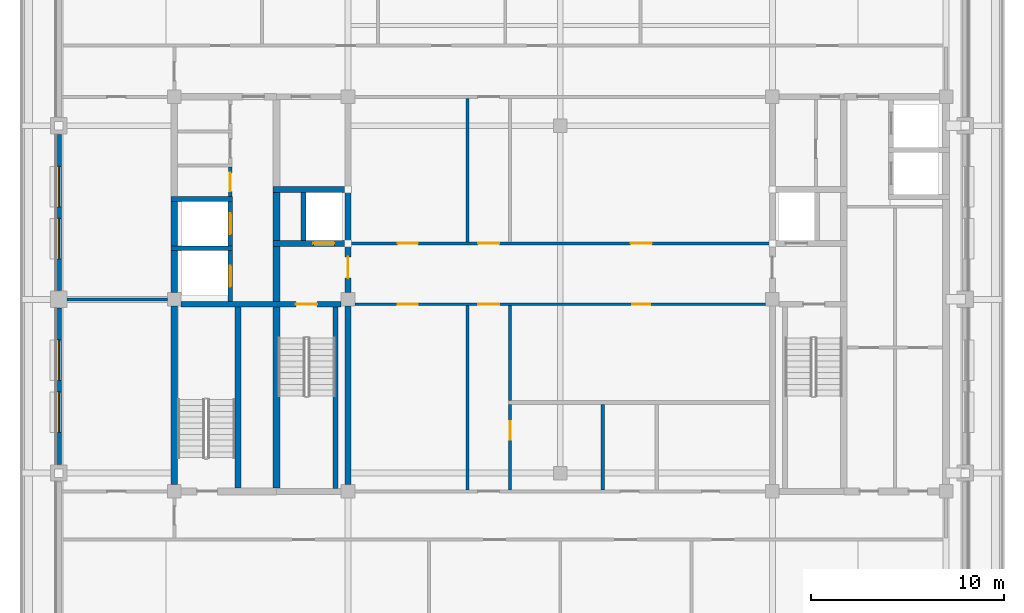
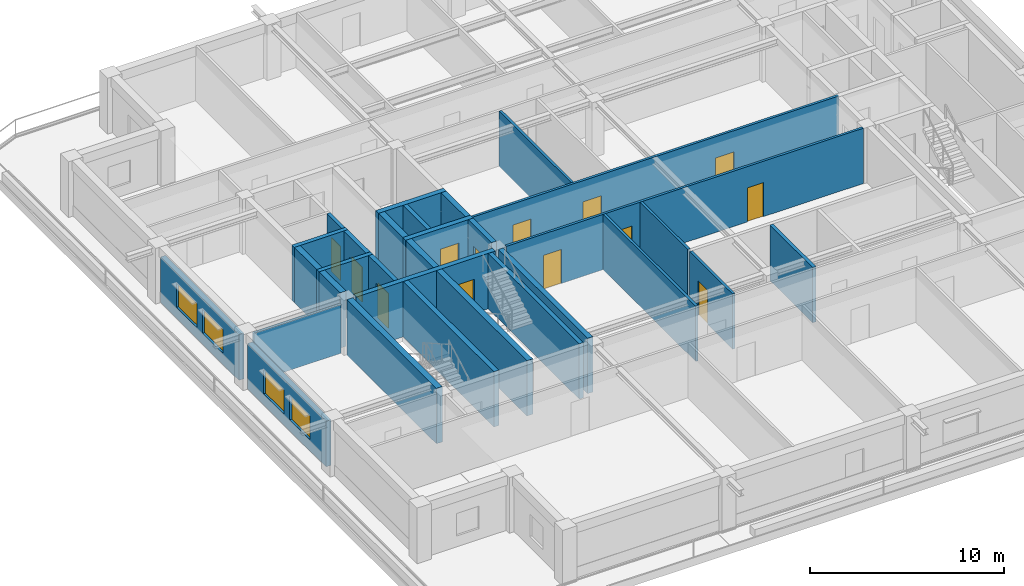
# One storey, part 3 of 11: 30 walls, 13 doors, 4 windows, 17 openings.
"""IFC4 building model written with IfcOpenShell, lengths in metres."""

from ifc_helpers import new_model, si_unit, direction, frame, frame_2d, origin, place, context, subcontext, project, spatial, rectangle, extrude, material, layer, layer_set, type_object, element, fill, save


model = new_model("IFC4")

# Units and contexts
model_context = context("Model", 3, precision=1e-05, world=origin(), true_north=direction((0.0, 1.0)))
body_context = subcontext(model_context, "Body", "Model", "MODEL_VIEW")
ifc_project = project(units=[si_unit("LENGTHUNIT", "METRE"), si_unit("AREAUNIT", "SQUARE_METRE"), si_unit("VOLUMEUNIT", "CUBIC_METRE"), si_unit("PLANEANGLEUNIT", "RADIAN"), si_unit("MASSUNIT", "GRAM", prefix="KILO")], contexts=[model_context])

# Site, building, storey
site_placement = place(None, origin())
site = spatial("IfcSite", under=ifc_project, at=site_placement, CompositionType="ELEMENT")
building_placement = place(site_placement, origin())
building = spatial("IfcBuilding", under=site, at=building_placement, Name="Zulmaris Gate Convention Tower", CompositionType="ELEMENT")
storey_placement = place(building_placement, frame((0.0, 0.0, 270.580078125)))
storey = spatial("IfcBuildingStorey", under=building, at=storey_placement, Name="L72", CompositionType="ELEMENT", Elevation=270.580078125)

# Walls
ifc_material_1 = material(Name="Concrete C50/60", Category="concrete")
ifc_layer_1 = layer(ifc_material_1, 0.25, Name="Concrete C50/60")
ifc_layer_set_1 = layer_set([ifc_layer_1], Name="Concrete C50/60")
wall_type_1 = type_object("IfcWallType", Name="CORE-250", PredefinedType="SOLIDWALL", material=ifc_layer_set_1)
for number, where, z_axis, x_axis, name in (
    (1, (-20.175048828125, 2.64990234375, 0.0), (0.0, 0.0, 1.0), (1.0, 0.0, 0.0), "WL-L72-007"),
    (2, (-20.175048828125, 5.199951171875, 0.0), (0.0, 0.0, 1.0), (1.0, 0.0, 0.0), "WL-L72-010"),
):
    element("IfcWall", number, at=place(storey_placement, frame(where, z_axis=z_axis, x_axis=x_axis)), inside=storey, type_object=wall_type_1, Name=name, PredefinedType="SOLIDWALL", context=body_context, shape_type="SweptSolid", body=[
        extrude(rectangle(XDim=3.199951171875, YDim=0.25, at=frame_2d((1.60009765625, 0.0))), origin(), (0.0, 0.0, 1.0), 3.489990234375),
    ])

# Wall, opening, door
wall_1_placement = place(storey_placement, frame((-17.10009765625, -0.097900390625, 0.0), z_axis=(0.0, 0.0, 1.0), x_axis=(0.0, 1.0, 0.0)))
wall_1 = element("IfcWall", 3, at=wall_1_placement, inside=storey, type_object=wall_type_1, Name="WL-L72-037", PredefinedType="SOLIDWALL", context=body_context, shape_type="SweptSolid", body=[
    extrude(rectangle(XDim=2.620849609375, YDim=0.25, at=frame_2d((1.310546875, 0.0))), origin(), (0.0, 0.0, 1.0), 3.489990234375),
])
opening_1_placement = place(wall_1_placement, frame((0.748046875, 0.0, 0.0)))
opening_1 = element("IfcOpeningElement", 4, at=opening_1_placement, cuts=wall_1, Name="Opening D-06", PredefinedType="OPENING", context=body_context, shape_type="SweptSolid", body=[
    extrude(rectangle(XDim=1.10009765625, YDim=2.199951171875, at=frame_2d((0.550048828125, 1.10009765625))), frame((0.0, 0.135009765625, 0.0), z_axis=(0.0, -1.0, 0.0), x_axis=(1.0, 0.0, 0.0)), (0.0, 0.0, 1.0), 0.27001953125),
])
ifc_material_2 = material(Name="Brushed Stainless Steel", Category="steel")
door_type_1 = type_object("IfcDoorType", Name="LD-1100", OperationType="NOTDEFINED", PredefinedType="DOOR", material=ifc_material_2)
door_1_placement = place(opening_1_placement, origin())
door_1 = element("IfcDoor", 5, at=door_1_placement, inside=storey, type_object=door_type_1, Name="L72 Lift Landing Door HP-03 11", OperationType="SLIDING_TO_LEFT", OverallHeight=2.199951171875, OverallWidth=1.10009765625, PredefinedType="DOOR", context=body_context, shape_type="SweptSolid", body=[
    extrude(rectangle(XDim=1.10009765625, YDim=2.199951171875, at=frame_2d((0.550048828125, 1.10009765625))), frame((0.0, 0.02490234375, 0.0), z_axis=(0.0, -1.0, 0.0), x_axis=(1.0, 0.0, 0.0)), (0.0, 0.0, 1.0), 0.050048828125),
])
fill(opening_1, door_1)

wall_2_placement = place(storey_placement, frame((-17.10009765625, 2.777099609375, 0.0), z_axis=(0.0, 0.0, 1.0), x_axis=(0.0, 1.0, 0.0)))
wall_2 = element("IfcWall", 6, at=wall_2_placement, inside=storey, type_object=wall_type_1, Name="WL-L72-038", PredefinedType="SOLIDWALL", context=body_context, shape_type="SweptSolid", body=[
    extrude(rectangle(XDim=2.2958984375, YDim=0.25, at=frame_2d((1.14794921875, 0.0))), origin(), (0.0, 0.0, 1.0), 3.489990234375),
])
opening_2_placement = place(wall_2_placement, frame((0.597900390625, 0.0, 0.0)))
opening_2 = element("IfcOpeningElement", 7, at=opening_2_placement, cuts=wall_2, Name="Opening D-06", PredefinedType="OPENING", context=body_context, shape_type="SweptSolid", body=[
    extrude(rectangle(XDim=1.10009765625, YDim=2.199951171875, at=frame_2d((0.550048828125, 1.10009765625))), frame((0.0, 0.135009765625, 0.0), z_axis=(0.0, -1.0, 0.0), x_axis=(1.0, 0.0, 0.0)), (0.0, 0.0, 1.0), 0.27001953125),
])
door_2_placement = place(opening_2_placement, origin())
door_2 = element("IfcDoor", 8, at=door_2_placement, inside=storey, type_object=door_type_1, Name="L72 Lift Landing Door HP-04 12", OperationType="SLIDING_TO_LEFT", OverallHeight=2.199951171875, OverallWidth=1.10009765625, PredefinedType="DOOR", context=body_context, shape_type="SweptSolid", body=[
    extrude(rectangle(XDim=1.10009765625, YDim=2.199951171875, at=frame_2d((0.550048828125, 1.10009765625))), frame((0.0, 0.02490234375, 0.0), z_axis=(0.0, -1.0, 0.0), x_axis=(1.0, 0.0, 0.0)), (0.0, 0.0, 1.0), 0.050048828125),
])
fill(opening_2, door_2)

# Walls
wall_3_placement = place(storey_placement, frame((-13.300048828125, 3.052001953125, 0.0), z_axis=(0.0, 0.0, 1.0), x_axis=(0.0, 1.0, 0.0)))
element("IfcWall", 9, at=wall_3_placement, inside=storey, type_object=wall_type_1, Name="WL-L72-044", PredefinedType="SOLIDWALL", context=body_context, shape_type="SweptSolid", body=[
    extrude(rectangle(XDim=2.49609375, YDim=0.25, at=frame_2d((1.248046875, 0.0))), origin(), (0.0, 0.0, 1.0), 3.489990234375),
])
wall_4_placement = place(storey_placement, frame((-11.64990234375, -9.798095703125, 0.0), z_axis=(0.0, 0.0, 1.0), x_axis=(0.0, 1.0, 0.0)))
element("IfcWall", 10, at=wall_4_placement, inside=storey, type_object=wall_type_1, Name="WL-L72-045", PredefinedType="SOLIDWALL", context=body_context, shape_type="SweptSolid", body=[
    extrude(rectangle(XDim=9.39599609375, YDim=0.25, at=frame_2d((4.697998046875, 0.0))), origin(), (0.0, 0.0, 1.0), 3.489990234375),
])

# Wall, opening, door
ifc_layer_2 = layer(ifc_material_1, 0.300048828125, Name="Concrete C50/60")
ifc_layer_set_2 = layer_set([ifc_layer_2], Name="Concrete C50/60")
wall_type_2 = type_object("IfcWallType", Name="CORE-300", PredefinedType="SHEAR", material=ifc_layer_set_2)
wall_5_placement = place(storey_placement, frame((-19.64599609375, -0.25, 0.0), z_axis=(0.0, 0.0, 1.0), x_axis=(1.0, 0.0, 0.0)))
wall_5 = element("IfcWall", 11, at=wall_5_placement, inside=storey, type_object=wall_type_2, Name="WL-L72-005", PredefinedType="SHEAR", context=body_context, shape_type="SweptSolid", body=[
    extrude(rectangle(XDim=8.2919921875, YDim=0.300048828125, at=frame_2d((4.14599609375, 0.0))), origin(), (0.0, 0.0, 1.0), 3.489990234375),
])
opening_3_placement = place(wall_5_placement, frame((5.946044921875, 0.0, 0.0)))
opening_3 = element("IfcOpeningElement", 12, at=opening_3_placement, cuts=wall_5, Name="Opening D-08", PredefinedType="OPENING", context=body_context, shape_type="SweptSolid", body=[
    extrude(rectangle(XDim=1.10009765625, YDim=2.14990234375, at=frame_2d((0.550048828125, 1.074951171875))), frame((0.0, 0.16015625, 0.0), z_axis=(0.0, -1.0, 0.0), x_axis=(1.0, 0.0, 0.0)), (0.0, 0.0, 1.0), 0.320068359375),
])
ifc_material_3 = material(Name="Fire-Rated Steel", Category="steel")
door_type_2 = type_object("IfcDoorType", Name="DR-1100-FD", OperationType="NOTDEFINED", PredefinedType="DOOR", material=ifc_material_3)
door_3_placement = place(opening_3_placement, origin())
door_3 = element("IfcDoor", 13, at=door_3_placement, inside=storey, type_object=door_type_2, Name="L72 Exit Stair ST-1 Door 01", OperationType="SINGLE_SWING_LEFT", OverallHeight=2.14990234375, OverallWidth=1.10009765625, PredefinedType="DOOR", context=body_context, shape_type="SweptSolid", body=[
    extrude(rectangle(XDim=1.10009765625, YDim=2.14990234375, at=frame_2d((0.550048828125, 1.074951171875))), frame((0.0, 0.02490234375, 0.0), z_axis=(0.0, -1.0, 0.0), x_axis=(1.0, 0.0, 0.0)), (0.0, 0.0, 1.0), 0.050048828125),
])
fill(opening_3, door_3)

wall_6_placement = place(storey_placement, frame((-14.875, 2.89990234375, 0.0), z_axis=(0.0, 0.0, 1.0), x_axis=(1.0, 0.0, 0.0)))
wall_6 = element("IfcWall", 14, at=wall_6_placement, inside=storey, type_object=wall_type_2, Name="WL-L72-008", PredefinedType="SHEAR", context=body_context, shape_type="SweptSolid", body=[
    extrude(rectangle(XDim=4.02490234375, YDim=0.300048828125, at=frame_2d((2.012451171875, 0.0))), origin(), (0.0, 0.0, 1.0), 3.489990234375),
])
opening_4_placement = place(wall_6_placement, frame((2.074951171875, 0.0, 0.0)))
opening_4 = element("IfcOpeningElement", 15, at=opening_4_placement, cuts=wall_6, Name="Opening D-06", PredefinedType="OPENING", context=body_context, shape_type="SweptSolid", body=[
    extrude(rectangle(XDim=1.10009765625, YDim=2.199951171875, at=frame_2d((0.550048828125, 1.10009765625))), frame((0.0, 0.16015625, 0.0), z_axis=(0.0, -1.0, 0.0), x_axis=(1.0, 0.0, 0.0)), (0.0, 0.0, 1.0), 0.320068359375),
])
door_4_placement = place(opening_4_placement, origin())
door_4 = element("IfcDoor", 16, at=door_4_placement, inside=storey, type_object=door_type_1, Name="L72 Lift Landing Door LF-01 03", OperationType="SLIDING_TO_LEFT", OverallHeight=2.199951171875, OverallWidth=1.10009765625, PredefinedType="DOOR", context=body_context, shape_type="SweptSolid", body=[
    extrude(rectangle(XDim=1.10009765625, YDim=2.199951171875, at=frame_2d((0.550048828125, 1.10009765625))), frame((0.0, 0.02490234375, 0.0), z_axis=(0.0, -1.0, 0.0), x_axis=(1.0, 0.0, 0.0)), (0.0, 0.0, 1.0), 0.050048828125),
])
fill(opening_4, door_4)

# Walls
wall_7_placement = place(storey_placement, frame((-14.875, 5.699951171875, 0.0), z_axis=(0.0, 0.0, 1.0), x_axis=(1.0, 0.0, 0.0)))
element("IfcWall", 17, at=wall_7_placement, inside=storey, type_object=wall_type_2, Name="WL-L72-012", PredefinedType="SHEAR", context=body_context, shape_type="SweptSolid", body=[
    extrude(rectangle(XDim=4.02490234375, YDim=0.300048828125, at=frame_2d((2.012451171875, 0.0))), origin(), (0.0, 0.0, 1.0), 3.489990234375),
])
wall_8_placement = place(storey_placement, frame((-16.699951171875, -9.77294921875, 0.0), z_axis=(0.0, 0.0, 1.0), x_axis=(0.0, 1.0, 0.0)))
element("IfcWall", 18, at=wall_8_placement, inside=storey, type_object=wall_type_2, Name="WL-L72-039", PredefinedType="SHEAR", context=body_context, shape_type="SweptSolid", body=[
    extrude(rectangle(XDim=9.370849609375, YDim=0.300048828125, at=frame_2d((4.685546875, 0.0))), origin(), (0.0, 0.0, 1.0), 3.489990234375),
])
wall_9_placement = place(storey_placement, frame((-11.0, -9.595947265625, 0.0), z_axis=(0.0, 0.0, 1.0), x_axis=(0.0, 1.0, 0.0)))
element("IfcWall", 19, at=wall_9_placement, inside=storey, type_object=wall_type_2, Name="WL-L72-046", PredefinedType="SHEAR", context=body_context, shape_type="SweptSolid", body=[
    extrude(rectangle(XDim=9.241943359375, YDim=0.300048828125, at=frame_2d((4.62109375, 0.0))), origin(), (0.0, 0.0, 1.0), 3.489990234375),
])

# Wall, opening, door
wall_10_placement = place(storey_placement, frame((-11.0, 0.35400390625, 0.0), z_axis=(0.0, 0.0, 1.0), x_axis=(0.0, 1.0, 0.0)))
wall_10 = element("IfcWall", 20, at=wall_10_placement, inside=storey, type_object=wall_type_2, Name="WL-L72-047", PredefinedType="SHEAR", context=body_context, shape_type="SweptSolid", body=[
    extrude(rectangle(XDim=2.39404296875, YDim=0.300048828125, at=frame_2d((1.197021484375, 0.0))), origin(), (0.0, 0.0, 1.0), 3.489990234375),
])
opening_5_placement = place(wall_10_placement, frame((0.74609375, 0.0, 0.0)))
opening_5 = element("IfcOpeningElement", 21, at=opening_5_placement, cuts=wall_10, Name="Opening D-08", PredefinedType="OPENING", context=body_context, shape_type="SweptSolid", body=[
    extrude(rectangle(XDim=1.10009765625, YDim=2.14990234375, at=frame_2d((0.550048828125, 1.074951171875))), frame((0.0, 0.16015625, 0.0), z_axis=(0.0, -1.0, 0.0), x_axis=(1.0, 0.0, 0.0)), (0.0, 0.0, 1.0), 0.320068359375),
])
door_5_placement = place(opening_5_placement, origin())
door_5 = element("IfcDoor", 22, at=door_5_placement, inside=storey, type_object=door_type_2, Name="L72 West Firefighting Lobby Door 02", OperationType="SINGLE_SWING_RIGHT", OverallHeight=2.14990234375, OverallWidth=1.10009765625, PredefinedType="DOOR", context=body_context, shape_type="SweptSolid", body=[
    extrude(rectangle(XDim=1.10009765625, YDim=2.14990234375, at=frame_2d((0.550048828125, 1.074951171875))), frame((0.0, 0.02490234375, 0.0), z_axis=(0.0, -1.0, 0.0), x_axis=(1.0, 0.0, 0.0)), (0.0, 0.0, 1.0), 0.050048828125),
])
fill(opening_5, door_5)

# Walls
wall_11_placement = place(storey_placement, frame((-11.0, 3.052001953125, 0.0), z_axis=(0.0, 0.0, 1.0), x_axis=(0.0, 1.0, 0.0)))
element("IfcWall", 23, at=wall_11_placement, inside=storey, type_object=wall_type_2, Name="WL-L72-048", PredefinedType="SHEAR", context=body_context, shape_type="SweptSolid", body=[
    extrude(rectangle(XDim=2.49609375, YDim=0.300048828125, at=frame_2d((1.248046875, 0.0))), origin(), (0.0, 0.0, 1.0), 3.489990234375),
])
ifc_material_4 = material(Name="Concrete C55/67", Category="concrete")
ifc_layer_3 = layer(ifc_material_4, 0.35009765625, Name="Concrete C55/67")
ifc_layer_set_3 = layer_set([ifc_layer_3], Name="Concrete C55/67")
wall_type_3 = type_object("IfcWallType", Name="CORE-350", PredefinedType="SHEAR", material=ifc_layer_set_3)
wall_12_placement = place(storey_placement, frame((-20.0, -9.595947265625, 0.0), z_axis=(0.0, 0.0, 1.0), x_axis=(0.0, 1.0, 0.0)))
element("IfcWall", 24, at=wall_12_placement, inside=storey, type_object=wall_type_3, Name="WL-L72-033", PredefinedType="SHEAR", context=body_context, shape_type="SweptSolid", body=[
    extrude(rectangle(XDim=9.241943359375, YDim=0.35009765625, at=frame_2d((4.62109375, 0.0))), origin(), (0.0, 0.0, 1.0), 3.489990234375),
])
wall_13_placement = place(storey_placement, frame((-20.0, 0.35400390625, 0.0), z_axis=(0.0, 0.0, 1.0), x_axis=(0.0, 1.0, 0.0)))
element("IfcWall", 25, at=wall_13_placement, inside=storey, type_object=wall_type_3, Name="WL-L72-034", PredefinedType="SHEAR", context=body_context, shape_type="SweptSolid", body=[
    extrude(rectangle(XDim=2.1689453125, YDim=0.35009765625, at=frame_2d((1.08447265625, 0.0))), origin(), (0.0, 0.0, 1.0), 3.489990234375),
])
wall_14_placement = place(storey_placement, frame((-20.0, 2.777099609375, 0.0), z_axis=(0.0, 0.0, 1.0), x_axis=(0.0, 1.0, 0.0)))
element("IfcWall", 26, at=wall_14_placement, inside=storey, type_object=wall_type_3, Name="WL-L72-035", PredefinedType="SHEAR", context=body_context, shape_type="SweptSolid", body=[
    extrude(rectangle(XDim=2.2958984375, YDim=0.35009765625, at=frame_2d((1.14794921875, 0.0))), origin(), (0.0, 0.0, 1.0), 3.489990234375),
])
wall_15_placement = place(storey_placement, frame((-14.699951171875, -9.77294921875, 0.0), z_axis=(0.0, 0.0, 1.0), x_axis=(0.0, 1.0, 0.0)))
element("IfcWall", 27, at=wall_15_placement, inside=storey, type_object=wall_type_3, Name="WL-L72-040", PredefinedType="SHEAR", context=body_context, shape_type="SweptSolid", body=[
    extrude(rectangle(XDim=9.370849609375, YDim=0.35009765625, at=frame_2d((4.685546875, 0.0))), origin(), (0.0, 0.0, 1.0), 3.489990234375),
])
wall_16_placement = place(storey_placement, frame((-14.699951171875, -0.097900390625, 0.0), z_axis=(0.0, 0.0, 1.0), x_axis=(0.0, 1.0, 0.0)))
element("IfcWall", 28, at=wall_16_placement, inside=storey, type_object=wall_type_3, Name="WL-L72-041", PredefinedType="SHEAR", context=body_context, shape_type="SweptSolid", body=[
    extrude(rectangle(XDim=2.845947265625, YDim=0.35009765625, at=frame_2d((1.4228515625, 0.0))), origin(), (0.0, 0.0, 1.0), 3.489990234375),
])
wall_17_placement = place(storey_placement, frame((-14.699951171875, 3.052001953125, 0.0), z_axis=(0.0, 0.0, 1.0), x_axis=(0.0, 1.0, 0.0)))
element("IfcWall", 29, at=wall_17_placement, inside=storey, type_object=wall_type_3, Name="WL-L72-042", PredefinedType="SHEAR", context=body_context, shape_type="SweptSolid", body=[
    extrude(rectangle(XDim=2.49609375, YDim=0.35009765625, at=frame_2d((1.248046875, 0.0))), origin(), (0.0, 0.0, 1.0), 3.489990234375),
])

# Wall, openings, doors
ifc_material_5 = material(Name="Gypsum Metal Stud Partition")
ifc_layer_4 = layer(ifc_material_5, 0.14990234375, Name="Gypsum Metal Stud Partition")
ifc_layer_set_4 = layer_set([ifc_layer_4], Name="Gypsum Metal Stud Partition")
wall_type_4 = type_object("IfcWallType", Name="PART-150", PredefinedType="PARTITIONING", material=ifc_layer_set_4)
wall_18_placement = place(storey_placement, frame((-10.64404296875, -0.25, 0.0), z_axis=(0.0, 0.0, 1.0), x_axis=(1.0, 0.0, 0.0)))
wall_18 = element("IfcWall", 30, at=wall_18_placement, inside=storey, type_object=wall_type_4, Name="WL-L72-024", PredefinedType="PARTITIONING", context=body_context, shape_type="SweptSolid", body=[
    extrude(rectangle(XDim=21.2880859375, YDim=0.14990234375, at=frame_2d((10.64404296875, 0.0))), origin(), (0.0, 0.0, 1.0), 3.489990234375),
])
opening_6_placement = place(wall_18_placement, frame((6.39404296875, 0.0, 0.0)))
opening_6 = element("IfcOpeningElement", 31, at=opening_6_placement, cuts=wall_18, Name="Opening D-08", PredefinedType="OPENING", context=body_context, shape_type="SweptSolid", body=[
    extrude(rectangle(XDim=1.10009765625, YDim=2.14990234375, at=frame_2d((0.550048828125, 1.074951171875))), frame((0.0, 0.0849609375, 0.0), z_axis=(0.0, -1.0, 0.0), x_axis=(1.0, 0.0, 0.0)), (0.0, 0.0, 1.0), 0.169921875),
])
opening_7_placement = place(wall_18_placement, frame((2.218994140625, 0.0, 0.0)))
opening_7 = element("IfcOpeningElement", 32, at=opening_7_placement, cuts=wall_18, Name="Opening D-09", PredefinedType="OPENING", context=body_context, shape_type="SweptSolid", body=[
    extrude(rectangle(XDim=1.050048828125, YDim=2.14990234375, at=frame_2d((0.52490234375, 1.074951171875))), frame((0.0, 0.0849609375, 0.0), z_axis=(0.0, -1.0, 0.0), x_axis=(1.0, 0.0, 0.0)), (0.0, 0.0, 1.0), 0.169921875),
])
opening_8_placement = place(wall_18_placement, frame((14.368896484375, 0.0, 0.0)))
opening_8 = element("IfcOpeningElement", 33, at=opening_8_placement, cuts=wall_18, Name="Opening D-11", PredefinedType="OPENING", context=body_context, shape_type="SweptSolid", body=[
    extrude(rectangle(XDim=0.949951171875, YDim=2.14990234375, at=frame_2d((0.47509765625, 1.074951171875))), frame((0.0, 0.0849609375, 0.0), z_axis=(0.0, -1.0, 0.0), x_axis=(1.0, 0.0, 0.0)), (0.0, 0.0, 1.0), 0.169921875),
])
door_type_3 = type_object("IfcDoorType", Name="DR-1050-FD", OperationType="NOTDEFINED", PredefinedType="DOOR", material=ifc_material_3)
door_6_placement = place(opening_7_placement, origin())
door_6 = element("IfcDoor", 34, at=door_6_placement, inside=storey, type_object=door_type_3, Name="L72 Sky Library Door 39", OperationType="SINGLE_SWING_LEFT", OverallHeight=2.14990234375, OverallWidth=1.050048828125, PredefinedType="DOOR", context=body_context, shape_type="SweptSolid", body=[
    extrude(rectangle(XDim=1.050048828125, YDim=2.14990234375, at=frame_2d((0.52490234375, 1.074951171875))), frame((0.0, 0.02490234375, 0.0), z_axis=(0.0, -1.0, 0.0), x_axis=(1.0, 0.0, 0.0)), (0.0, 0.0, 1.0), 0.050048828125),
])
fill(opening_7, door_6)
door_7_placement = place(opening_6_placement, origin())
door_7 = element("IfcDoor", 35, at=door_7_placement, inside=storey, type_object=door_type_2, Name="L72 Exec Cross South Door 27", OperationType="SINGLE_SWING_LEFT", OverallHeight=2.14990234375, OverallWidth=1.10009765625, PredefinedType="DOOR", context=body_context, shape_type="SweptSolid", body=[
    extrude(rectangle(XDim=1.10009765625, YDim=2.14990234375, at=frame_2d((0.550048828125, 1.074951171875))), frame((0.0, 0.02490234375, 0.0), z_axis=(0.0, -1.0, 0.0), x_axis=(1.0, 0.0, 0.0)), (0.0, 0.0, 1.0), 0.050048828125),
])
fill(opening_6, door_7)
ifc_material_6 = material(Name="Fire-Rated Timber", Category="wood")
door_type_4 = type_object("IfcDoorType", Name="DR-950-FD", OperationType="NOTDEFINED", PredefinedType="DOOR", material=ifc_material_6)
door_8_placement = place(opening_8_placement, origin())
door_8 = element("IfcDoor", 36, at=door_8_placement, inside=storey, type_object=door_type_4, Name="L72 Public WC Door 40", OperationType="SINGLE_SWING_RIGHT", OverallHeight=2.14990234375, OverallWidth=0.949951171875, PredefinedType="DOOR", context=body_context, shape_type="SweptSolid", body=[
    extrude(rectangle(XDim=0.949951171875, YDim=2.14990234375, at=frame_2d((0.47509765625, 1.074951171875))), frame((0.0, 0.02490234375, 0.0), z_axis=(0.0, -1.0, 0.0), x_axis=(1.0, 0.0, 0.0)), (0.0, 0.0, 1.0), 0.050048828125),
])
fill(opening_8, door_8)

# Wall
wall_19_placement = place(storey_placement, frame((-25.569091796875, 0.0, 0.0), z_axis=(0.0, 0.0, 1.0), x_axis=(1.0, 0.0, 0.0)))
element("IfcWall", 37, at=wall_19_placement, inside=storey, type_object=wall_type_4, Name="WL-L72-025", PredefinedType="PARTITIONING", context=body_context, shape_type="SweptSolid", body=[
    extrude(rectangle(XDim=5.213134765625, YDim=0.14990234375, at=frame_2d((2.6064453125, 0.0))), origin(), (0.0, 0.0, 1.0), 3.080078125),
])

# Wall, openings, doors
wall_20_placement = place(storey_placement, frame((-11.0, 2.89990234375, 0.0), z_axis=(0.0, 0.0, 1.0), x_axis=(1.0, 0.0, 0.0)))
wall_20 = element("IfcWall", 38, at=wall_20_placement, inside=storey, type_object=wall_type_4, Name="WL-L72-026", PredefinedType="PARTITIONING", context=body_context, shape_type="SweptSolid", body=[
    extrude(rectangle(XDim=22.0, YDim=0.14990234375, at=frame_2d((11.0, 0.0))), origin(), (0.0, 0.0, 1.0), 3.489990234375),
])
opening_9_placement = place(wall_20_placement, frame((6.75, 0.0, 0.0)))
opening_9 = element("IfcOpeningElement", 39, at=opening_9_placement, cuts=wall_20, Name="Opening D-08", PredefinedType="OPENING", context=body_context, shape_type="SweptSolid", body=[
    extrude(rectangle(XDim=1.10009765625, YDim=2.14990234375, at=frame_2d((0.550048828125, 1.074951171875))), frame((0.0, 0.0849609375, 0.0), z_axis=(0.0, -1.0, 0.0), x_axis=(1.0, 0.0, 0.0)), (0.0, 0.0, 1.0), 0.169921875),
])
opening_10_placement = place(wall_20_placement, frame((2.574951171875, 0.0, 0.0)))
opening_10 = element("IfcOpeningElement", 40, at=opening_10_placement, cuts=wall_20, Name="Opening D-09", PredefinedType="OPENING", context=body_context, shape_type="SweptSolid", body=[
    extrude(rectangle(XDim=1.050048828125, YDim=2.14990234375, at=frame_2d((0.52490234375, 1.074951171875))), frame((0.0, 0.0849609375, 0.0), z_axis=(0.0, -1.0, 0.0), x_axis=(1.0, 0.0, 0.0)), (0.0, 0.0, 1.0), 0.169921875),
])
opening_11_placement = place(wall_20_placement, frame((14.64990234375, 0.0, 0.0)))
opening_11 = element("IfcOpeningElement", 41, at=opening_11_placement, cuts=wall_20, Name="Opening D-08", PredefinedType="OPENING", context=body_context, shape_type="SweptSolid", body=[
    extrude(rectangle(XDim=1.10009765625, YDim=2.14990234375, at=frame_2d((0.550048828125, 1.074951171875))), frame((0.0, 0.0849609375, 0.0), z_axis=(0.0, -1.0, 0.0), x_axis=(1.0, 0.0, 0.0)), (0.0, 0.0, 1.0), 0.169921875),
])
door_9_placement = place(opening_10_placement, origin())
door_9 = element("IfcDoor", 42, at=door_9_placement, inside=storey, type_object=door_type_3, Name="L72 Reception Door 37", OperationType="SINGLE_SWING_LEFT", OverallHeight=2.14990234375, OverallWidth=1.050048828125, PredefinedType="DOOR", context=body_context, shape_type="SweptSolid", body=[
    extrude(rectangle(XDim=1.050048828125, YDim=2.14990234375, at=frame_2d((0.52490234375, 1.074951171875))), frame((0.0, 0.02490234375, 0.0), z_axis=(0.0, -1.0, 0.0), x_axis=(1.0, 0.0, 0.0)), (0.0, 0.0, 1.0), 0.050048828125),
])
fill(opening_10, door_9)
door_10_placement = place(opening_9_placement, origin())
door_10 = element("IfcDoor", 43, at=door_10_placement, inside=storey, type_object=door_type_2, Name="L72 Exec Cross North Door 26", OperationType="SINGLE_SWING_RIGHT", OverallHeight=2.14990234375, OverallWidth=1.10009765625, PredefinedType="DOOR", context=body_context, shape_type="SweptSolid", body=[
    extrude(rectangle(XDim=1.10009765625, YDim=2.14990234375, at=frame_2d((0.550048828125, 1.074951171875))), frame((0.0, 0.02490234375, 0.0), z_axis=(0.0, -1.0, 0.0), x_axis=(1.0, 0.0, 0.0)), (0.0, 0.0, 1.0), 0.050048828125),
])
fill(opening_9, door_10)
door_11_placement = place(opening_11_placement, origin())
door_11 = element("IfcDoor", 44, at=door_11_placement, inside=storey, type_object=door_type_2, Name="L72 Townhall Forum Door 38", OperationType="SINGLE_SWING_RIGHT", OverallHeight=2.14990234375, OverallWidth=1.10009765625, PredefinedType="DOOR", context=body_context, shape_type="SweptSolid", body=[
    extrude(rectangle(XDim=1.10009765625, YDim=2.14990234375, at=frame_2d((0.550048828125, 1.074951171875))), frame((0.0, 0.02490234375, 0.0), z_axis=(0.0, -1.0, 0.0), x_axis=(1.0, 0.0, 0.0)), (0.0, 0.0, 1.0), 0.050048828125),
])
fill(opening_11, door_11)

# Walls
wall_21_placement = place(storey_placement, frame((-4.800048828125, -9.8720703125, 0.0), z_axis=(0.0, 0.0, 1.0), x_axis=(0.0, 1.0, 0.0)))
element("IfcWall", 45, at=wall_21_placement, inside=storey, type_object=wall_type_4, Name="WL-L72-073", PredefinedType="PARTITIONING", context=body_context, shape_type="SweptSolid", body=[
    extrude(rectangle(XDim=9.544189453125, YDim=0.14990234375, at=frame_2d((4.77197265625, 0.0))), origin(), (0.0, 0.0, 1.0), 3.489990234375),
])
wall_22_placement = place(storey_placement, frame((-4.800048828125, 2.97802734375, 0.0), z_axis=(0.0, 0.0, 1.0), x_axis=(0.0, 1.0, 0.0)))
element("IfcWall", 46, at=wall_22_placement, inside=storey, type_object=wall_type_4, Name="WL-L72-074", PredefinedType="PARTITIONING", context=body_context, shape_type="SweptSolid", body=[
    extrude(rectangle(XDim=7.444091796875, YDim=0.14990234375, at=frame_2d((3.72216796875, 0.0))), origin(), (0.0, 0.0, 1.0), 3.489990234375),
])

# Wall, opening, door
wall_23_placement = place(storey_placement, frame((-2.60009765625, -9.8720703125, 0.0), z_axis=(0.0, 0.0, 1.0), x_axis=(0.0, 1.0, 0.0)))
wall_23 = element("IfcWall", 47, at=wall_23_placement, inside=storey, type_object=wall_type_4, Name="WL-L72-076", PredefinedType="PARTITIONING", context=body_context, shape_type="SweptSolid", body=[
    extrude(rectangle(XDim=4.419189453125, YDim=0.14990234375, at=frame_2d((2.20947265625, 0.0))), origin(), (0.0, 0.0, 1.0), 3.489990234375),
])
opening_12_placement = place(wall_23_placement, frame((2.596923828125, 0.0, 0.0)))
opening_12 = element("IfcOpeningElement", 48, at=opening_12_placement, cuts=wall_23, Name="Opening D-11", PredefinedType="OPENING", context=body_context, shape_type="SweptSolid", body=[
    extrude(rectangle(XDim=0.949951171875, YDim=2.14990234375, at=frame_2d((0.47509765625, 1.074951171875))), frame((0.0, 0.0849609375, 0.0), z_axis=(0.0, -1.0, 0.0), x_axis=(1.0, 0.0, 0.0)), (0.0, 0.0, 1.0), 0.169921875),
])
door_12_placement = place(opening_12_placement, origin())
door_12 = element("IfcDoor", 49, at=door_12_placement, inside=storey, type_object=door_type_4, Name="L72 Hygiene Supply Door 41", OperationType="SINGLE_SWING_LEFT", OverallHeight=2.14990234375, OverallWidth=0.949951171875, PredefinedType="DOOR", context=body_context, shape_type="SweptSolid", body=[
    extrude(rectangle(XDim=0.949951171875, YDim=2.14990234375, at=frame_2d((0.47509765625, 1.074951171875))), frame((0.0, 0.02490234375, 0.0), z_axis=(0.0, -1.0, 0.0), x_axis=(1.0, 0.0, 0.0)), (0.0, 0.0, 1.0), 0.050048828125),
])
fill(opening_12, door_12)

# Wall
wall_24_placement = place(storey_placement, frame((-2.60009765625, -5.2470703125, 0.0), z_axis=(0.0, 0.0, 1.0), x_axis=(0.0, 1.0, 0.0)))
element("IfcWall", 50, at=wall_24_placement, inside=storey, type_object=wall_type_4, Name="WL-L72-077", PredefinedType="PARTITIONING", context=body_context, shape_type="SweptSolid", body=[
    extrude(rectangle(XDim=4.919189453125, YDim=0.14990234375, at=frame_2d((2.45947265625, 0.0))), origin(), (0.0, 0.0, 1.0), 3.489990234375),
])

# Wall, opening, door
ifc_material_7 = material(Name="Autoclaved Aerated Concrete Block and Plasterboard", Category="concrete")
ifc_layer_5 = layer(ifc_material_7, 0.199951171875, Name="Autoclaved Aerated Concrete Block and Plasterboard")
ifc_layer_set_5 = layer_set([ifc_layer_5], Name="Autoclaved Aerated Concrete Block and Plasterboard")
wall_type_5 = type_object("IfcWallType", Name="PART-200", PredefinedType="PARTITIONING", material=ifc_layer_set_5)
wall_25_placement = place(storey_placement, frame((-17.10009765625, 5.327880859375, 0.0), z_axis=(0.0, 0.0, 1.0), x_axis=(0.0, 1.0, 0.0)))
wall_25 = element("IfcWall", 51, at=wall_25_placement, inside=storey, type_object=wall_type_5, Name="WL-L72-067", PredefinedType="PARTITIONING", context=body_context, shape_type="SweptSolid", body=[
    extrude(rectangle(XDim=1.544189453125, YDim=0.199951171875, at=frame_2d((0.77197265625, 0.0))), origin(), (0.0, 0.0, 1.0), 3.489990234375),
])
opening_13_placement = place(wall_25_placement, frame((0.277099609375, 0.0, 0.0)))
opening_13 = element("IfcOpeningElement", 52, at=opening_13_placement, cuts=wall_25, Name="Opening D-11", PredefinedType="OPENING", context=body_context, shape_type="SweptSolid", body=[
    extrude(rectangle(XDim=0.949951171875, YDim=2.14990234375, at=frame_2d((0.47509765625, 1.074951171875))), frame((0.0, 0.10986328125, 0.0), z_axis=(0.0, -1.0, 0.0), x_axis=(1.0, 0.0, 0.0)), (0.0, 0.0, 1.0), 0.219970703125),
])
door_13_placement = place(opening_13_placement, origin())
door_13 = element("IfcDoor", 53, at=door_13_placement, inside=storey, type_object=door_type_4, Name="L72 Linen Closet Door 16", OperationType="SINGLE_SWING_RIGHT", OverallHeight=2.14990234375, OverallWidth=0.949951171875, PredefinedType="DOOR", context=body_context, shape_type="SweptSolid", body=[
    extrude(rectangle(XDim=0.949951171875, YDim=2.14990234375, at=frame_2d((0.47509765625, 1.074951171875))), frame((0.0, 0.02490234375, 0.0), z_axis=(0.0, -1.0, 0.0), x_axis=(1.0, 0.0, 0.0)), (0.0, 0.0, 1.0), 0.050048828125),
])
fill(opening_13, door_13)

# Wall
wall_26_placement = place(storey_placement, frame((2.199951171875, -9.8720703125, 0.0), z_axis=(0.0, 0.0, 1.0), x_axis=(0.0, 1.0, 0.0)))
element("IfcWall", 54, at=wall_26_placement, inside=storey, type_object=wall_type_5, Name="WL-L72-080", PredefinedType="PARTITIONING", context=body_context, shape_type="SweptSolid", body=[
    extrude(rectangle(XDim=4.419189453125, YDim=0.199951171875, at=frame_2d((2.20947265625, 0.0))), origin(), (0.0, 0.0, 1.0), 3.489990234375),
])

# Wall, openings, windows
ifc_material_8 = material(Name="Precast concrete C40/50", Category="concrete")
ifc_layer_6 = layer(ifc_material_8, 0.300048828125, Name="Precast concrete C40/50")
ifc_layer_set_6 = layer_set([ifc_layer_6], Name="Precast concrete C40/50")
wall_type_6 = type_object("IfcWallType", Name="PRECAST-PIER-300", PredefinedType="STANDARD", material=ifc_layer_set_6)
wall_27_placement = place(storey_placement, frame((-26.0, -0.455078125, 0.0), z_axis=(0.0, 0.0, 1.0), x_axis=(0.0, -1.0, 0.0)))
wall_27 = element("IfcWall", 55, at=wall_27_placement, inside=storey, type_object=wall_type_6, Name="EW-L72-W-1_0", PredefinedType="STANDARD", context=body_context, shape_type="SweptSolid", body=[
    extrude(rectangle(XDim=8.08984375, YDim=0.300048828125, at=frame_2d((4.044921875, 0.0))), origin(), (0.0, 0.0, 1.0), 2.882080078125),
])
opening_14_placement = place(wall_27_placement, frame((1.64697265625, 0.0, 0.699951171875)))
opening_14 = element("IfcOpeningElement", 56, at=opening_14_placement, cuts=wall_27, Name="Opening W-05", PredefinedType="OPENING", context=body_context, shape_type="SweptSolid", body=[
    extrude(rectangle(XDim=2.10009765625, YDim=1.5, at=frame_2d((1.050048828125, 0.75))), frame((0.0, 0.16015625, 0.0), z_axis=(0.0, -1.0, 0.0), x_axis=(1.0, 0.0, 0.0)), (0.0, 0.0, 1.0), 0.320068359375),
])
opening_15_placement = place(wall_27_placement, frame((4.343017578125, 0.0, 0.699951171875)))
opening_15 = element("IfcOpeningElement", 57, at=opening_15_placement, cuts=wall_27, Name="Opening W-05", PredefinedType="OPENING", context=body_context, shape_type="SweptSolid", body=[
    extrude(rectangle(XDim=2.10009765625, YDim=1.5, at=frame_2d((1.050048828125, 0.75))), frame((0.0, 0.16015625, 0.0), z_axis=(0.0, -1.0, 0.0), x_axis=(1.0, 0.0, 0.0)), (0.0, 0.0, 1.0), 0.320068359375),
])
ifc_material_9 = material(Name="Low-E Laminated Double Glazing in Aluminium Frame", Category="aluminium")
window_type = type_object("IfcWindowType", Name="WIN-2100x2400", PartitioningType="SINGLE_PANEL", PredefinedType="WINDOW", material=ifc_material_9)
window_1_placement = place(opening_14_placement, origin())
window_1 = element("IfcWindow", 58, at=window_1_placement, inside=storey, type_object=window_type, Name="WN-EW-L72-W-1_0-1", OverallHeight=1.5, OverallWidth=2.10009765625, PartitioningType="SINGLE_PANEL", PredefinedType="WINDOW", context=body_context, shape_type="SweptSolid", body=[
    extrude(rectangle(XDim=2.10009765625, YDim=1.5, at=frame_2d((1.050048828125, 0.75))), frame((0.0, 0.030029296875, 0.0), z_axis=(0.0, -1.0, 0.0), x_axis=(1.0, 0.0, 0.0)), (0.0, 0.0, 1.0), 0.06005859375),
])
fill(opening_14, window_1)
window_2_placement = place(opening_15_placement, origin())
window_2 = element("IfcWindow", 59, at=window_2_placement, inside=storey, type_object=window_type, Name="WN-EW-L72-W-1_0-2", OverallHeight=1.5, OverallWidth=2.10009765625, PartitioningType="SINGLE_PANEL", PredefinedType="WINDOW", context=body_context, shape_type="SweptSolid", body=[
    extrude(rectangle(XDim=2.10009765625, YDim=1.5, at=frame_2d((1.050048828125, 0.75))), frame((0.0, 0.030029296875, 0.0), z_axis=(0.0, -1.0, 0.0), x_axis=(1.0, 0.0, 0.0)), (0.0, 0.0, 1.0), 0.06005859375),
])
fill(opening_15, window_2)

wall_28_placement = place(storey_placement, frame((-26.0, 8.544921875, 0.0), z_axis=(0.0, 0.0, 1.0), x_axis=(0.0, -1.0, 0.0)))
wall_28 = element("IfcWall", 60, at=wall_28_placement, inside=storey, type_object=wall_type_6, Name="EW-L72-W-2_0", PredefinedType="STANDARD", context=body_context, shape_type="SweptSolid", body=[
    extrude(rectangle(XDim=8.08984375, YDim=0.300048828125, at=frame_2d((4.044921875, 0.0))), origin(), (0.0, 0.0, 1.0), 2.882080078125),
])
opening_16_placement = place(wall_28_placement, frame((1.64697265625, 0.0, 0.699951171875)))
opening_16 = element("IfcOpeningElement", 61, at=opening_16_placement, cuts=wall_28, Name="Opening W-05", PredefinedType="OPENING", context=body_context, shape_type="SweptSolid", body=[
    extrude(rectangle(XDim=2.10009765625, YDim=1.5, at=frame_2d((1.050048828125, 0.75))), frame((0.0, 0.16015625, 0.0), z_axis=(0.0, -1.0, 0.0), x_axis=(1.0, 0.0, 0.0)), (0.0, 0.0, 1.0), 0.320068359375),
])
opening_17_placement = place(wall_28_placement, frame((4.343017578125, 0.0, 0.699951171875)))
opening_17 = element("IfcOpeningElement", 62, at=opening_17_placement, cuts=wall_28, Name="Opening W-05", PredefinedType="OPENING", context=body_context, shape_type="SweptSolid", body=[
    extrude(rectangle(XDim=2.10009765625, YDim=1.5, at=frame_2d((1.050048828125, 0.75))), frame((0.0, 0.16015625, 0.0), z_axis=(0.0, -1.0, 0.0), x_axis=(1.0, 0.0, 0.0)), (0.0, 0.0, 1.0), 0.320068359375),
])
window_3_placement = place(opening_16_placement, origin())
window_3 = element("IfcWindow", 63, at=window_3_placement, inside=storey, type_object=window_type, Name="WN-EW-L72-W-2_0-1", OverallHeight=1.5, OverallWidth=2.10009765625, PartitioningType="SINGLE_PANEL", PredefinedType="WINDOW", context=body_context, shape_type="SweptSolid", body=[
    extrude(rectangle(XDim=2.10009765625, YDim=1.5, at=frame_2d((1.050048828125, 0.75))), frame((0.0, 0.030029296875, 0.0), z_axis=(0.0, -1.0, 0.0), x_axis=(1.0, 0.0, 0.0)), (0.0, 0.0, 1.0), 0.06005859375),
])
fill(opening_16, window_3)
window_4_placement = place(opening_17_placement, origin())
window_4 = element("IfcWindow", 64, at=window_4_placement, inside=storey, type_object=window_type, Name="WN-EW-L72-W-2_0-2", OverallHeight=1.5, OverallWidth=2.10009765625, PartitioningType="SINGLE_PANEL", PredefinedType="WINDOW", context=body_context, shape_type="SweptSolid", body=[
    extrude(rectangle(XDim=2.10009765625, YDim=1.5, at=frame_2d((1.050048828125, 0.75))), frame((0.0, 0.030029296875, 0.0), z_axis=(0.0, -1.0, 0.0), x_axis=(1.0, 0.0, 0.0)), (0.0, 0.0, 1.0), 0.06005859375),
])
fill(opening_17, window_4)

save(model, "model.ifc")
